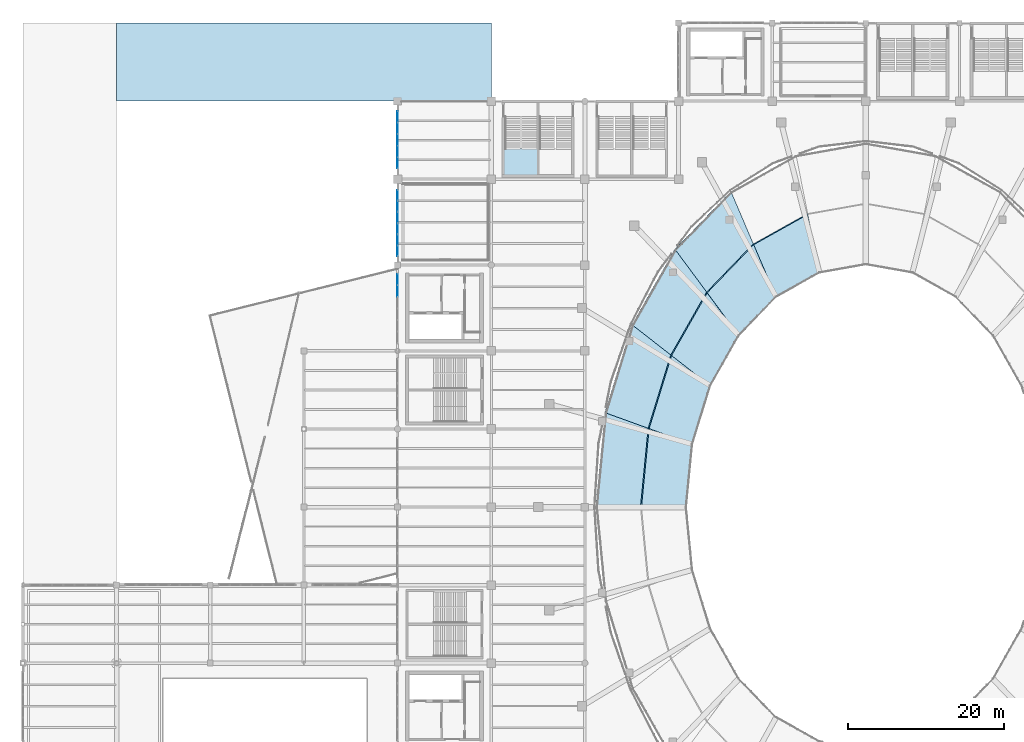
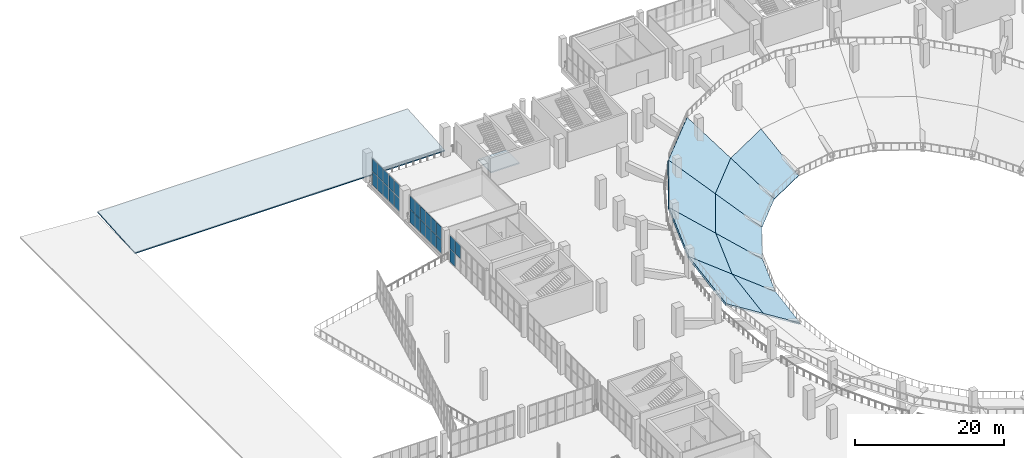
# One storey, part 98 of 136: 25 plates, 11 slabs, 4 elements without a shape of their own.
"""IFC4 building model written with IfcOpenShell, lengths in metres."""

from ifc_helpers import new_model, si_unit, direction, frame, origin, origin_2d, place, context, subcontext, project, spatial, polyline, rectangle, outline, extrude, material, layer, layer_set, type_object, element, aggregate, save


model = new_model("IFC4")

# Units and contexts
model_context = context("Model", 3, precision=1e-05, world=origin(), true_north=direction((0.0, 1.0)))
body_context = subcontext(model_context, "Body", "Model", "MODEL_VIEW")
ifc_project = project(units=[si_unit("LENGTHUNIT", "METRE"), si_unit("AREAUNIT", "SQUARE_METRE"), si_unit("VOLUMEUNIT", "CUBIC_METRE"), si_unit("PLANEANGLEUNIT", "RADIAN"), si_unit("MASSUNIT", "GRAM", prefix="KILO")], contexts=[model_context])

# Site, building, storey
site_placement = place(None, origin())
site = spatial("IfcSite", under=ifc_project, at=site_placement, CompositionType="ELEMENT")
building_placement = place(site_placement, origin())
building = spatial("IfcBuilding", under=site, at=building_placement, Name="Brinegate Civic Arena", CompositionType="ELEMENT")
storey_placement = place(building_placement, frame((0.0, 0.0, 5.39990234375)))
storey = spatial("IfcBuildingStorey", under=building, at=storey_placement, Name="L01", CompositionType="ELEMENT", Elevation=5.39990234375)

# Curtain wall, plates
ifc_material_1 = material(Name="Marine grade aluminium", Category="aluminium")
ifc_layer_1 = layer(ifc_material_1, 0.199951171875, Name="Marine grade aluminium")
ifc_layer_set_1 = layer_set([ifc_layer_1], Name="Marine grade aluminium")
curtain_wall_type = type_object("IfcCurtainWallType", Name="CW-BOWL-GLAZED-01", PredefinedType="USERDEFINED", material=ifc_layer_set_1)
curtain_wall_1_placement = place(storey_placement, origin())
curtain_wall_1 = element("IfcCurtainWall", 1, at=curtain_wall_1_placement, inside=storey, type_object=curtain_wall_type, Name="Curtain Wall CWA-058", ObjectType="GLAZED CURTAIN WALL", PredefinedType="USERDEFINED")
ifc_material_2 = material(Name="Hurricane laminated low-E glass", Category="glass")
ifc_layer_2 = layer(ifc_material_2, 0.028076171875, Name="Hurricane laminated low-E glass")
ifc_layer_set_2 = layer_set([ifc_layer_2], Name="Hurricane laminated low-E glass")
plate_type_1 = type_object("IfcPlateType", Name="CW-PANEL-GLAZED-28", PredefinedType="CURTAIN_PANEL", material=ifc_layer_set_2)
plate_1_placement = place(storey_placement, frame((48.0, 89.685302734375, 2.267578125), z_axis=(0.0, 0.0, 1.0), x_axis=(0.0, 1.0, 0.0)))
plate_1 = element("IfcPlate", 2, at=plate_1_placement, type_object=plate_type_1, Name="CWA-058 panel 5.2", PredefinedType="CURTAIN_PANEL", context=body_context, shape_type="SweptSolid", body=[
    extrude(rectangle(XDim=1.4248046875, YDim=0.028076171875, at=origin_2d()), origin(), (0.0, 0.0, 1.0), 2.137451171875),
])
plate_2_placement = place(storey_placement, frame((48.0, 91.158935546875, 0.06494140625), z_axis=(0.0, 0.0, 1.0), x_axis=(0.0, 1.0, 0.0)))
plate_2 = element("IfcPlate", 3, at=plate_2_placement, type_object=plate_type_1, Name="CWA-058 panel 6.1", PredefinedType="CURTAIN_PANEL", context=body_context, shape_type="SweptSolid", body=[
    extrude(rectangle(XDim=1.392333984375, YDim=0.028076171875, at=origin_2d()), origin(), (0.0, 0.0, 1.0), 2.137451171875),
])
plate_3_placement = place(storey_placement, frame((48.0, 91.158935546875, 2.267578125), z_axis=(0.0, 0.0, 1.0), x_axis=(0.0, 1.0, 0.0)))
plate_3 = element("IfcPlate", 4, at=plate_3_placement, type_object=plate_type_1, Name="CWA-058 panel 6.2", PredefinedType="CURTAIN_PANEL", context=body_context, shape_type="SweptSolid", body=[
    extrude(rectangle(XDim=1.392333984375, YDim=0.028076171875, at=origin_2d()), origin(), (0.0, 0.0, 1.0), 2.137451171875),
])
aggregate(curtain_wall_1, [plate_1, plate_2, plate_3])

curtain_wall_2_placement = place(storey_placement, origin())
curtain_wall_2 = element("IfcCurtainWall", 5, at=curtain_wall_2_placement, inside=storey, type_object=curtain_wall_type, Name="Curtain Wall CWA-062", ObjectType="GLAZED CURTAIN WALL", PredefinedType="USERDEFINED")
plate_4_placement = place(storey_placement, frame((48.0, 106.085693359375, 0.074951171875), z_axis=(0.0, 0.0, 1.0), x_axis=(0.0, 1.0, 0.0)))
plate_4 = element("IfcPlate", 6, at=plate_4_placement, type_object=plate_type_1, Name="CWA-062 panel 1.1", PredefinedType="CURTAIN_PANEL", context=body_context, shape_type="SweptSolid", body=[
    extrude(rectangle(XDim=1.385498046875, YDim=0.028076171875, at=origin_2d()), origin(), (0.0, 0.0, 1.0), 2.12255859375),
])
plate_5_placement = place(storey_placement, frame((48.0, 106.085693359375, 2.2724609375), z_axis=(0.0, 0.0, 1.0), x_axis=(0.0, 1.0, 0.0)))
plate_5 = element("IfcPlate", 7, at=plate_5_placement, type_object=plate_type_1, Name="CWA-062 panel 1.2", PredefinedType="CURTAIN_PANEL", context=body_context, shape_type="SweptSolid", body=[
    extrude(rectangle(XDim=1.385498046875, YDim=0.028076171875, at=origin_2d()), origin(), (0.0, 0.0, 1.0), 2.12255859375),
])
plate_6_placement = place(storey_placement, frame((48.0, 107.552490234375, 0.074951171875), z_axis=(0.0, 0.0, 1.0), x_axis=(0.0, 1.0, 0.0)))
plate_6 = element("IfcPlate", 8, at=plate_6_placement, type_object=plate_type_1, Name="CWA-062 panel 2.1", PredefinedType="CURTAIN_PANEL", context=body_context, shape_type="SweptSolid", body=[
    extrude(rectangle(XDim=1.41796875, YDim=0.028076171875, at=origin_2d()), origin(), (0.0, 0.0, 1.0), 2.12255859375),
])
plate_7_placement = place(storey_placement, frame((48.0, 107.552490234375, 2.2724609375), z_axis=(0.0, 0.0, 1.0), x_axis=(0.0, 1.0, 0.0)))
plate_7 = element("IfcPlate", 9, at=plate_7_placement, type_object=plate_type_1, Name="CWA-062 panel 2.2", PredefinedType="CURTAIN_PANEL", context=body_context, shape_type="SweptSolid", body=[
    extrude(rectangle(XDim=1.41796875, YDim=0.028076171875, at=origin_2d()), origin(), (0.0, 0.0, 1.0), 2.12255859375),
])
plate_8_placement = place(storey_placement, frame((48.0, 109.035400390625, 0.074951171875), z_axis=(0.0, 0.0, 1.0), x_axis=(0.0, 1.0, 0.0)))
plate_8 = element("IfcPlate", 10, at=plate_8_placement, type_object=plate_type_1, Name="CWA-062 panel 3.1", PredefinedType="CURTAIN_PANEL", context=body_context, shape_type="SweptSolid", body=[
    extrude(rectangle(XDim=1.41796875, YDim=0.028076171875, at=origin_2d()), origin(), (0.0, 0.0, 1.0), 2.12255859375),
])
plate_9_placement = place(storey_placement, frame((48.0, 109.035400390625, 2.2724609375), z_axis=(0.0, 0.0, 1.0), x_axis=(0.0, 1.0, 0.0)))
plate_9 = element("IfcPlate", 11, at=plate_9_placement, type_object=plate_type_1, Name="CWA-062 panel 3.2", PredefinedType="CURTAIN_PANEL", context=body_context, shape_type="SweptSolid", body=[
    extrude(rectangle(XDim=1.41796875, YDim=0.028076171875, at=origin_2d()), origin(), (0.0, 0.0, 1.0), 2.12255859375),
])
plate_10_placement = place(storey_placement, frame((48.0, 110.5185546875, 0.074951171875), z_axis=(0.0, 0.0, 1.0), x_axis=(0.0, 1.0, 0.0)))
plate_10 = element("IfcPlate", 12, at=plate_10_placement, type_object=plate_type_1, Name="CWA-062 panel 4.1", PredefinedType="CURTAIN_PANEL", context=body_context, shape_type="SweptSolid", body=[
    extrude(rectangle(XDim=1.41796875, YDim=0.028076171875, at=origin_2d()), origin(), (0.0, 0.0, 1.0), 2.12255859375),
])
plate_11_placement = place(storey_placement, frame((48.0, 110.5185546875, 2.2724609375), z_axis=(0.0, 0.0, 1.0), x_axis=(0.0, 1.0, 0.0)))
plate_11 = element("IfcPlate", 13, at=plate_11_placement, type_object=plate_type_1, Name="CWA-062 panel 4.2", PredefinedType="CURTAIN_PANEL", context=body_context, shape_type="SweptSolid", body=[
    extrude(rectangle(XDim=1.41796875, YDim=0.028076171875, at=origin_2d()), origin(), (0.0, 0.0, 1.0), 2.12255859375),
])
plate_12_placement = place(storey_placement, frame((48.0, 111.9853515625, 0.074951171875), z_axis=(0.0, 0.0, 1.0), x_axis=(0.0, 1.0, 0.0)))
plate_12 = element("IfcPlate", 14, at=plate_12_placement, type_object=plate_type_1, Name="CWA-062 panel 5.1", PredefinedType="CURTAIN_PANEL", context=body_context, shape_type="SweptSolid", body=[
    extrude(rectangle(XDim=1.385498046875, YDim=0.028076171875, at=origin_2d()), origin(), (0.0, 0.0, 1.0), 2.12255859375),
])
plate_13_placement = place(storey_placement, frame((48.0, 111.9853515625, 2.2724609375), z_axis=(0.0, 0.0, 1.0), x_axis=(0.0, 1.0, 0.0)))
plate_13 = element("IfcPlate", 15, at=plate_13_placement, type_object=plate_type_1, Name="CWA-062 panel 5.2", PredefinedType="CURTAIN_PANEL", context=body_context, shape_type="SweptSolid", body=[
    extrude(rectangle(XDim=1.385498046875, YDim=0.028076171875, at=origin_2d()), origin(), (0.0, 0.0, 1.0), 2.12255859375),
])
aggregate(curtain_wall_2, [plate_4, plate_5, plate_6, plate_7, plate_8, plate_9, plate_10, plate_11, plate_12, plate_13])

curtain_wall_3_placement = place(storey_placement, origin())
curtain_wall_3 = element("IfcCurtainWall", 16, at=curtain_wall_3_placement, inside=storey, type_object=curtain_wall_type, Name="Curtain Wall CWA-060", ObjectType="GLAZED CURTAIN WALL", PredefinedType="USERDEFINED")
ifc_layer_3 = layer(ifc_material_2, 0.035888671875, Name="Hurricane laminated low-E glass")
ifc_layer_set_3 = layer_set([ifc_layer_3], Name="Hurricane laminated low-E glass")
plate_type_2 = type_object("IfcPlateType", Name="CW-PANEL-GLAZED-36", PredefinedType="CURTAIN_PANEL", material=ifc_layer_set_3)
plate_14_placement = place(storey_placement, frame((48.0, 94.814697265625, 0.06494140625), z_axis=(0.0, 0.0, 1.0), x_axis=(0.0, 1.0, 0.0)))
plate_14 = element("IfcPlate", 17, at=plate_14_placement, type_object=plate_type_2, Name="CWA-060 panel 1.1", PredefinedType="CURTAIN_PANEL", context=body_context, shape_type="SweptSolid", body=[
    extrude(rectangle(XDim=1.319580078125, YDim=0.035888671875, at=origin_2d()), origin(), (0.0, 0.0, 1.0), 2.137451171875),
])
plate_15_placement = place(storey_placement, frame((48.0, 94.814697265625, 2.267578125), z_axis=(0.0, 0.0, 1.0), x_axis=(0.0, 1.0, 0.0)))
plate_15 = element("IfcPlate", 18, at=plate_15_placement, type_object=plate_type_2, Name="CWA-060 panel 1.2", PredefinedType="CURTAIN_PANEL", context=body_context, shape_type="SweptSolid", body=[
    extrude(rectangle(XDim=1.319580078125, YDim=0.035888671875, at=origin_2d()), origin(), (0.0, 0.0, 1.0), 2.137451171875),
])
plate_16_placement = place(storey_placement, frame((48.0, 96.22802734375, 0.06494140625), z_axis=(0.0, 0.0, 1.0), x_axis=(0.0, 1.0, 0.0)))
plate_16 = element("IfcPlate", 19, at=plate_16_placement, type_object=plate_type_2, Name="CWA-060 panel 2.1", PredefinedType="CURTAIN_PANEL", context=body_context, shape_type="SweptSolid", body=[
    extrude(rectangle(XDim=1.35693359375, YDim=0.035888671875, at=origin_2d()), origin(), (0.0, 0.0, 1.0), 2.137451171875),
])
plate_17_placement = place(storey_placement, frame((48.0, 96.22802734375, 2.267578125), z_axis=(0.0, 0.0, 1.0), x_axis=(0.0, 1.0, 0.0)))
plate_17 = element("IfcPlate", 20, at=plate_17_placement, type_object=plate_type_2, Name="CWA-060 panel 2.2", PredefinedType="CURTAIN_PANEL", context=body_context, shape_type="SweptSolid", body=[
    extrude(rectangle(XDim=1.35693359375, YDim=0.035888671875, at=origin_2d()), origin(), (0.0, 0.0, 1.0), 2.137451171875),
])
plate_18_placement = place(storey_placement, frame((48.0, 97.659912109375, 0.06494140625), z_axis=(0.0, 0.0, 1.0), x_axis=(0.0, 1.0, 0.0)))
plate_18 = element("IfcPlate", 21, at=plate_18_placement, type_object=plate_type_2, Name="CWA-060 panel 3.1", PredefinedType="CURTAIN_PANEL", context=body_context, shape_type="SweptSolid", body=[
    extrude(rectangle(XDim=1.35693359375, YDim=0.035888671875, at=origin_2d()), origin(), (0.0, 0.0, 1.0), 2.137451171875),
])
plate_19_placement = place(storey_placement, frame((48.0, 97.659912109375, 2.267578125), z_axis=(0.0, 0.0, 1.0), x_axis=(0.0, 1.0, 0.0)))
plate_19 = element("IfcPlate", 22, at=plate_19_placement, type_object=plate_type_2, Name="CWA-060 panel 3.2", PredefinedType="CURTAIN_PANEL", context=body_context, shape_type="SweptSolid", body=[
    extrude(rectangle(XDim=1.35693359375, YDim=0.035888671875, at=origin_2d()), origin(), (0.0, 0.0, 1.0), 2.137451171875),
])
plate_20_placement = place(storey_placement, frame((48.0, 99.092041015625, 0.06494140625), z_axis=(0.0, 0.0, 1.0), x_axis=(0.0, 1.0, 0.0)))
plate_20 = element("IfcPlate", 23, at=plate_20_placement, type_object=plate_type_2, Name="CWA-060 panel 4.1", PredefinedType="CURTAIN_PANEL", context=body_context, shape_type="SweptSolid", body=[
    extrude(rectangle(XDim=1.35693359375, YDim=0.035888671875, at=origin_2d()), origin(), (0.0, 0.0, 1.0), 2.137451171875),
])
plate_21_placement = place(storey_placement, frame((48.0, 99.092041015625, 2.267578125), z_axis=(0.0, 0.0, 1.0), x_axis=(0.0, 1.0, 0.0)))
plate_21 = element("IfcPlate", 24, at=plate_21_placement, type_object=plate_type_2, Name="CWA-060 panel 4.2", PredefinedType="CURTAIN_PANEL", context=body_context, shape_type="SweptSolid", body=[
    extrude(rectangle(XDim=1.35693359375, YDim=0.035888671875, at=origin_2d()), origin(), (0.0, 0.0, 1.0), 2.137451171875),
])
plate_22_placement = place(storey_placement, frame((48.0, 100.52392578125, 0.06494140625), z_axis=(0.0, 0.0, 1.0), x_axis=(0.0, 1.0, 0.0)))
plate_22 = element("IfcPlate", 25, at=plate_22_placement, type_object=plate_type_2, Name="CWA-060 panel 5.1", PredefinedType="CURTAIN_PANEL", context=body_context, shape_type="SweptSolid", body=[
    extrude(rectangle(XDim=1.35693359375, YDim=0.035888671875, at=origin_2d()), origin(), (0.0, 0.0, 1.0), 2.137451171875),
])
plate_23_placement = place(storey_placement, frame((48.0, 100.52392578125, 2.267578125), z_axis=(0.0, 0.0, 1.0), x_axis=(0.0, 1.0, 0.0)))
plate_23 = element("IfcPlate", 26, at=plate_23_placement, type_object=plate_type_2, Name="CWA-060 panel 5.2", PredefinedType="CURTAIN_PANEL", context=body_context, shape_type="SweptSolid", body=[
    extrude(rectangle(XDim=1.35693359375, YDim=0.035888671875, at=origin_2d()), origin(), (0.0, 0.0, 1.0), 2.137451171875),
])
plate_24_placement = place(storey_placement, frame((48.0, 101.937255859375, 0.06494140625), z_axis=(0.0, 0.0, 1.0), x_axis=(0.0, 1.0, 0.0)))
plate_24 = element("IfcPlate", 27, at=plate_24_placement, type_object=plate_type_2, Name="CWA-060 panel 6.1", PredefinedType="CURTAIN_PANEL", context=body_context, shape_type="SweptSolid", body=[
    extrude(rectangle(XDim=1.319580078125, YDim=0.035888671875, at=origin_2d()), origin(), (0.0, 0.0, 1.0), 2.137451171875),
])
plate_25_placement = place(storey_placement, frame((48.0, 101.937255859375, 2.267578125), z_axis=(0.0, 0.0, 1.0), x_axis=(0.0, 1.0, 0.0)))
plate_25 = element("IfcPlate", 28, at=plate_25_placement, type_object=plate_type_2, Name="CWA-060 panel 6.2", PredefinedType="CURTAIN_PANEL", context=body_context, shape_type="SweptSolid", body=[
    extrude(rectangle(XDim=1.319580078125, YDim=0.035888671875, at=origin_2d()), origin(), (0.0, 0.0, 1.0), 2.137451171875),
])
aggregate(curtain_wall_3, [plate_14, plate_15, plate_16, plate_17, plate_18, plate_19, plate_20, plate_21, plate_22, plate_23, plate_24, plate_25])

# Stair, slab
ifc_material_3 = material(Name="Concrete C40/50", Category="concrete")
stair_type = type_object("IfcStairType", Name="STAIR-EXIT-3850", PredefinedType="HALF_TURN_STAIR", material=ifc_material_3)
stair_placement = place(storey_placement, origin())
stair = element("IfcStair", 29, at=stair_placement, inside=storey, type_object=stair_type, Name="Protected Exit Stair ST-01A (L01)", PredefinedType="HALF_TURN_STAIR")
ifc_layer_4 = layer(ifc_material_3, 0.199951171875, Name="Concrete C40/50")
ifc_layer_set_4 = layer_set([ifc_layer_4], Name="Concrete C40/50")
slab_type_1 = type_object("IfcSlabType", Name="SLAB-LANDING-200", PredefinedType="LANDING", material=ifc_layer_set_4)
slab_1_placement = place(storey_placement, frame((0.0, 0.0, 2.2001953125)))
slab_1 = element("IfcSlab", 30, at=slab_1_placement, type_object=slab_type_1, Name="ST-01A landing 1", PredefinedType="LANDING", context=body_context, shape_type="SweptSolid", body=[
    extrude(outline(polyline([(61.574951171875, 104.39990234375), (66.0048828125, 104.39990234375), (66.0048828125, 107.909912109375), (61.574951171875, 107.909912109375), (61.574951171875, 104.39990234375)])), origin(), (0.0, 0.0, 1.0), 0.199951171875),
])
aggregate(stair, [slab_1])

# Slabs
ifc_layer_5 = layer(ifc_material_3, 0.179931640625, Name="Concrete C40/50")
ifc_layer_set_5 = layer_set([ifc_layer_5], Name="Concrete C40/50")
slab_type_2 = type_object("IfcSlabType", Name="SLAB-ROOF-COL-180", PredefinedType="ROOF", material=ifc_layer_set_5)
slab_2_placement = place(storey_placement, frame((12.0, 114.0, 0.7001953125), z_axis=(0.0, -0.069824280555, 0.99755930643), x_axis=(1.0, 0.0, 0.0)))
element("IfcSlab", 31, at=slab_2_placement, inside=storey, type_object=slab_type_2, Name="Sloped Roof Slab SLAB-ROOF-COL-N", PredefinedType="ROOF", context=body_context, shape_type="SweptSolid", body=[
    extrude(outline(polyline([(0.0, 0.0), (48.0, 0.0), (48.0, 10.024466651299171), (0.0, 10.024466651299171), (0.0, 0.0)])), origin(), (0.0, 0.0, -1.0), 0.179931640625),
])
ifc_material_4 = material(Name="Precast concrete C45/55", Category="concrete")
ifc_layer_6 = layer(ifc_material_4, 0.260009765625, Name="Precast concrete C45/55")
ifc_layer_set_6 = layer_set([ifc_layer_6], Name="Precast concrete C45/55")
slab_type_3 = type_object("IfcSlabType", Name="SLAB-TIER-LWR-260", PredefinedType="USERDEFINED", material=ifc_layer_set_6)
slab_3_placement = place(storey_placement, frame((102.047119140625, 91.991943359375, -4.7998046875), z_axis=(0.216545206593, -0.387267914246, 0.896176174698), x_axis=(-0.872800880887, -0.488076451003, -1.7298057e-05)))
element("IfcSlab", 32, at=slab_3_placement, inside=storey, type_object=slab_type_3, Name="Stand Lower Tier Bay A08", ObjectType="SEATING TIER", PredefinedType="USERDEFINED", context=body_context, shape_type="SweptSolid", body=[
    extrude(outline(polyline([(0.0, 0.0), (6.355568408466128, 4.440892098500626e-16), (5.583400148151714, -8.113507187693136), (-2.3609222788208775, -8.11294969113269), (0.0, 0.0)])), origin(), (0.0, 0.0, -1.0), 0.260009765625),
])
slab_4_placement = place(storey_placement, frame((96.5, 88.889892578125, -4.7998046875), z_axis=(0.339037355806, -0.327287023241, 0.882007299168), x_axis=(-0.694535050303, -0.719458868791, 4.28053e-06)))
element("IfcSlab", 33, at=slab_4_placement, inside=storey, type_object=slab_type_3, Name="Stand Lower Tier Bay A09", ObjectType="SEATING TIER", PredefinedType="USERDEFINED", context=body_context, shape_type="SweptSolid", body=[
    extrude(outline(polyline([(0.0, 0.0), (6.857721820254445, -8.881784197001252e-16), (5.732709767561201, -7.639125513034367), (-2.8402222802732644, -7.639265679341577), (0.0, 0.0)])), origin(), (0.0, 0.0, -1.0), 0.260009765625),
])
slab_5_placement = place(storey_placement, frame((93.625, 95.613037109375, -1.199951171875), z_axis=(0.339094748987, -0.327332403695, 0.881968394389), x_axis=(-0.694522230132, -0.719471244626, 2.935933e-06)))
element("IfcSlab", 34, at=slab_5_placement, inside=storey, type_object=slab_type_3, Name="Stand Lower Tier Bay B09", ObjectType="SEATING TIER", PredefinedType="USERDEFINED", context=body_context, shape_type="SweptSolid", body=[
    extrude(outline(polyline([(0.0, 0.0), (8.572932048997421, 0.0), (7.44832814419367, -7.638469050372839), (-2.8394689216309703, -7.638586539925358), (0.0, 0.0)])), origin(), (0.0, 0.0, -1.0), 0.260009765625),
])
slab_6_placement = place(storey_placement, frame((91.737060546875, 83.9560546875, -4.7998046875), z_axis=(0.434070193559, -0.246725000014, 0.866435134001), x_axis=(-0.49419393362, -0.869351686719, 2.7770693e-05)))
element("IfcSlab", 35, at=slab_6_placement, inside=storey, type_object=slab_type_3, Name="Stand Lower Tier Bay A10", ObjectType="SEATING TIER", PredefinedType="USERDEFINED", context=body_context, shape_type="SweptSolid", body=[
    extrude(outline(polyline([(0.0, 0.0), (7.397709054571206, -4.440892098500626e-16), (6.484358663296854, -7.209589498573793), (-2.7623106760740535, -7.210515265661114), (0.0, 0.0)])), origin(), (0.0, 0.0, -1.0), 0.260009765625),
])
slab_7_placement = place(storey_placement, frame((87.6708984375, 89.445068359375, -1.199951171875), z_axis=(0.434073549562, -0.246730488204, 0.866431889857), x_axis=(-0.494119870017, -0.869393785021, -2.4914979e-05)))
element("IfcSlab", 36, at=slab_7_placement, inside=storey, type_object=slab_type_3, Name="Stand Lower Tier Bay B10", ObjectType="SEATING TIER", PredefinedType="USERDEFINED", context=body_context, shape_type="SweptSolid", body=[
    extrude(outline(polyline([(0.0, 0.0), (9.246669384931355, -8.881784197001252e-16), (8.332230697601263, -7.210773616822032), (-2.7623041929974814, -7.209758584839436), (0.0, 0.0)])), origin(), (0.0, 0.0, -1.0), 0.260009765625),
])
slab_8_placement = place(storey_placement, frame((88.0810546875, 77.52490234375, -4.7998046875), z_axis=(0.498029193277, -0.152782927776, 0.853594927131), x_axis=(-0.293257170523, -0.956033593358, -1.754859e-05)))
element("IfcSlab", 37, at=slab_8_placement, inside=storey, type_object=slab_type_3, Name="Stand Lower Tier Bay A11", ObjectType="SEATING TIER", PredefinedType="USERDEFINED", context=body_context, shape_type="SweptSolid", body=[
    extrude(outline(polyline([(0.0, 0.0), (7.8333953109632946, -2.220446049250313e-16), (7.5413660576731765, -6.9105930023649185), (-2.2503999150211556, -6.909999271197158), (0.0, 0.0)])), origin(), (0.0, 0.0, -1.0), 0.260009765625),
])
slab_9_placement = place(storey_placement, frame((83.10205078125, 81.406005859375, -1.199951171875), z_axis=(0.498016099992, -0.152779329189, 0.853603210351), x_axis=(-0.293306852387, -0.956018352416, 1.3697409e-05)))
element("IfcSlab", 38, at=slab_9_placement, inside=storey, type_object=slab_type_3, Name="Stand Lower Tier Bay B11", ObjectType="SEATING TIER", PredefinedType="USERDEFINED", context=body_context, shape_type="SweptSolid", body=[
    extrude(outline(polyline([(0.0, 0.0), (9.791765990758659, -4.440892098500626e-16), (9.50015577223256, -6.910737877491016), (-2.250628091986405, -6.9113043272248404), (0.0, 0.0)])), origin(), (0.0, 0.0, -1.0), 0.260009765625),
])
slab_10_placement = place(storey_placement, frame((85.783935546875, 70.035888671875, -4.7998046875), z_axis=(0.529937750367, -0.051699324139, 0.846459190168), x_axis=(-0.097094240795, -0.995275192297, -1.360058e-06)))
element("IfcSlab", 39, at=slab_10_placement, inside=storey, type_object=slab_type_3, Name="Stand Lower Tier Bay A12", ObjectType="SEATING TIER", PredefinedType="USERDEFINED", context=body_context, shape_type="SweptSolid", body=[
    extrude(outline(polyline([(0.0, 0.0), (8.074036269936794, 0.0), (8.632323258500797, -6.760899420357436), (-1.460288751859227, -6.760853016896017), (0.0, 0.0)])), origin(), (0.0, 0.0, -1.0), 0.260009765625),
])
slab_11_placement = place(storey_placement, frame((80.22998046875, 72.044921875, -1.199951171875), z_axis=(0.529963142235, -0.051704149597, 0.846442997955), x_axis=(-0.097099352791, -0.995274693583, -8.90235e-07)))
element("IfcSlab", 40, at=slab_11_placement, inside=storey, type_object=slab_type_3, Name="Stand Lower Tier Bay B12", ObjectType="SEATING TIER", PredefinedType="USERDEFINED", context=body_context, shape_type="SweptSolid", body=[
    extrude(outline(polyline([(0.0, 0.0), (10.092612010469455, 2.220446049250313e-16), (10.650930084084084, -6.761026849754357), (-1.4602576670557452, -6.760989727940588), (0.0, 0.0)])), origin(), (0.0, 0.0, -1.0), 0.260009765625),
])

save(model, "model.ifc")
